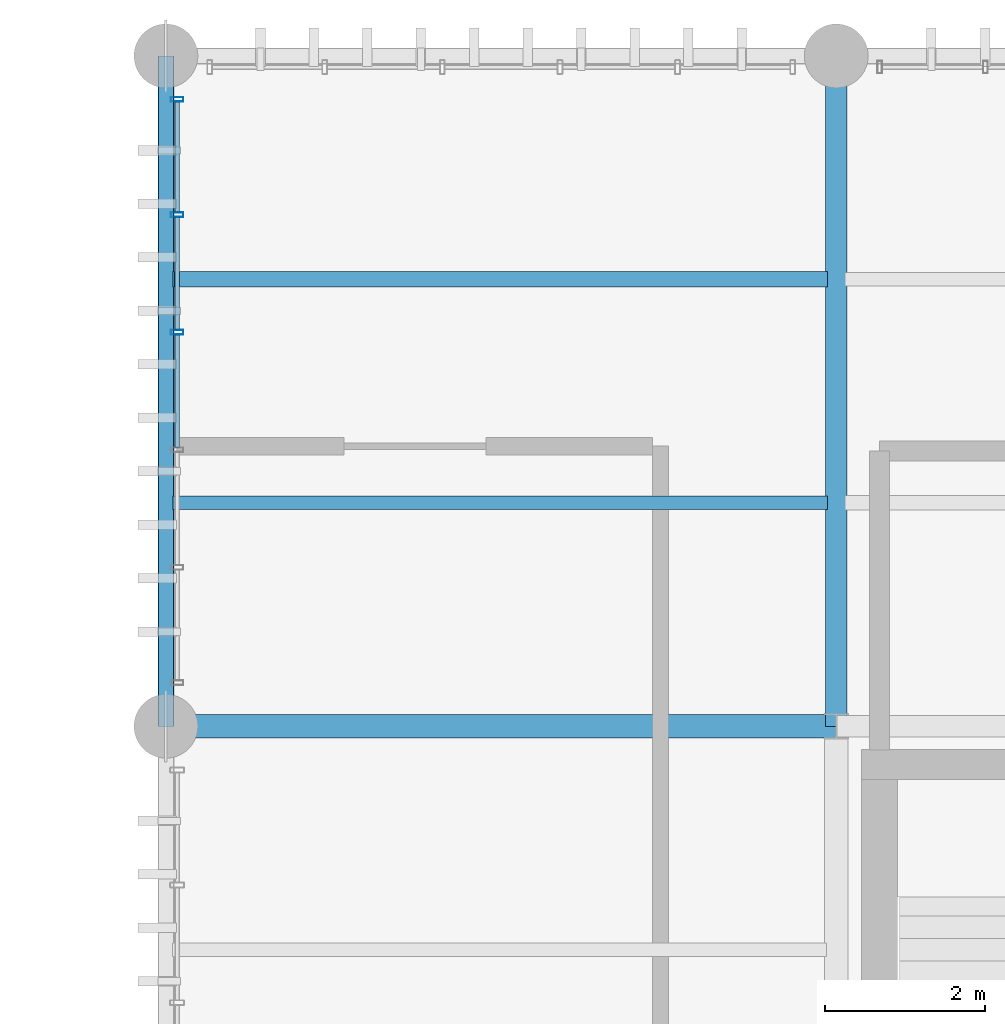
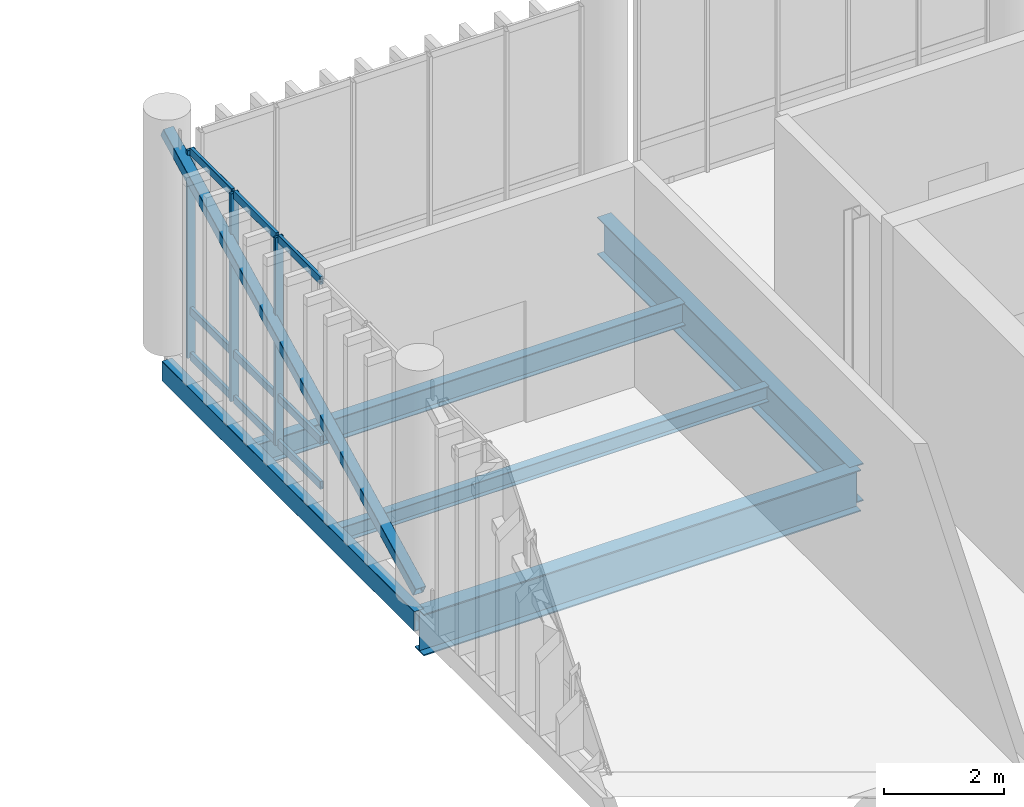
# One storey, part 58 of 94: 13 members, 5 beams, 1 element without a shape of its own.
"""IFC4 building model written with IfcOpenShell, lengths in metres."""

from ifc_helpers import new_model, si_unit, direction, frame, origin_with_axes, origin_2d_with_axis, place, context, subcontext, project, spatial, hollow_rectangle, i_section, extrude, material, material_profile, profile_set, type_object, element, aggregate, save


model = new_model("IFC4")

# Units and contexts
model_context = context("Model", 3, precision=1e-05, world=origin_with_axes(), true_north=direction((0.0, 1.0)))
body_context = subcontext(model_context, "Body", "Model", "MODEL_VIEW")
ifc_project = project(units=[si_unit("LENGTHUNIT", "METRE"), si_unit("AREAUNIT", "SQUARE_METRE"), si_unit("VOLUMEUNIT", "CUBIC_METRE"), si_unit("PLANEANGLEUNIT", "RADIAN"), si_unit("MASSUNIT", "GRAM", prefix="KILO"), si_unit("THERMODYNAMICTEMPERATUREUNIT", "KELVIN")], contexts=[model_context])

# Site, building, storey
site_placement = place(None, origin_with_axes())
site = spatial("IfcSite", under=ifc_project, at=site_placement, CompositionType="ELEMENT")
building_placement = place(site_placement, origin_with_axes())
building = spatial("IfcBuilding", under=site, at=building_placement, Name="Montbau Bow Law Courts", CompositionType="ELEMENT")
storey_placement = place(building_placement, frame((0.0, 0.0, 15.6), z_axis=(0.0, 0.0, 1.0), x_axis=(1.0, 0.0, 0.0)))
storey = spatial("IfcBuildingStorey", under=building, at=storey_placement, Name="L03", CompositionType="ELEMENT", Elevation=15.6)

# Beams
ifc_material_1 = material(Name="Steel CSA G40.21 Grade 350W (350 MPa)", Category="steel")
ifc_material_profile_1 = material_profile(ifc_material_1, i_section(OverallWidth=0.293, OverallDepth=0.846, WebThickness=0.0154, FlangeThickness=0.0244, at=origin_2d_with_axis()), Name="W840X210", Category="Main", Priority=0)
ifc_profile_set_1 = profile_set([ifc_material_profile_1], Name="Steel CSA G40.21 Grade 350W (350 MPa)")
beam_type_1 = type_object("IfcBeamType", Name="B-FLR-02", PredefinedType="BEAM", material=ifc_profile_set_1)
beam_1_placement = place(None, frame((138.6, 94.8, 14.837), z_axis=(1.0, 0.0, 0.0), x_axis=(0.0, 1.0, 0.0)))
element("IfcBeam", 1, at=beam_1_placement, inside=storey, type_object=beam_type_1, Name="BM-L03-S1217:bm2_1220", PredefinedType="BEAM", context=body_context, shape_type="SweptSolid", body=[
    extrude(i_section(OverallWidth=0.293, OverallDepth=0.846, WebThickness=0.0154, FlangeThickness=0.0244, at=origin_2d_with_axis()), origin_with_axes(), (0.0, 0.0, 1.0), 8.4),
])
ifc_material_profile_2 = material_profile(ifc_material_1, i_section(OverallWidth=0.267, OverallDepth=0.766, WebThickness=0.0149, FlangeThickness=0.0236, at=origin_2d_with_axis()), Name="W760X185", Category="Main", Priority=0)
ifc_profile_set_2 = profile_set([ifc_material_profile_2], Name="Steel CSA G40.21 Grade 350W (350 MPa)")
beam_type_2 = type_object("IfcBeamType", Name="B-FLR-03", PredefinedType="BEAM", material=ifc_profile_set_2)
beam_2_placement = place(None, frame((147.0, 94.8, 14.877), z_axis=(0.0, 1.0, 0.0), x_axis=(-1.0, 0.0, 0.0)))
element("IfcBeam", 2, at=beam_2_placement, inside=storey, type_object=beam_type_2, Name="BM-L03-S1232:bm2_1235", PredefinedType="BEAM", context=body_context, shape_type="SweptSolid", body=[
    extrude(i_section(OverallWidth=0.267, OverallDepth=0.766, WebThickness=0.0149, FlangeThickness=0.0236, at=origin_2d_with_axis()), origin_with_axes(), (0.0, 0.0, 1.0), 8.4),
])
ifc_material_profile_3 = material_profile(ifc_material_1, i_section(OverallWidth=0.191, OverallDepth=0.46, WebThickness=0.0099, FlangeThickness=0.016, at=origin_2d_with_axis()), Name="W460X82", Category="Main", Priority=0)
ifc_profile_set_3 = profile_set([ifc_material_profile_3], Name="Steel CSA G40.21 Grade 350W (350 MPa)")
beam_type_3 = type_object("IfcBeamType", Name="B-JST-01", PredefinedType="JOIST", material=ifc_profile_set_3)
beam_3_placement = place(None, frame((138.68, 100.4, 15.03), z_axis=(1.0, 0.0, 0.0), x_axis=(0.0, 1.0, 0.0)))
element("IfcBeam", 3, at=beam_3_placement, inside=storey, type_object=beam_type_3, Name="JST-L03-S0644:jst2_0644", PredefinedType="JOIST", context=body_context, shape_type="SweptSolid", body=[
    extrude(i_section(OverallWidth=0.191, OverallDepth=0.46, WebThickness=0.0099, FlangeThickness=0.016, at=origin_2d_with_axis()), origin_with_axes(), (0.0, 0.0, 1.0), 8.211),
])
ifc_material_profile_4 = material_profile(ifc_material_1, i_section(OverallWidth=0.166, OverallDepth=0.313, WebThickness=0.0066, FlangeThickness=0.0112, at=origin_2d_with_axis()), Name="W310X45", Category="Main", Priority=0)
ifc_profile_set_4 = profile_set([ifc_material_profile_4], Name="Steel CSA G40.21 Grade 350W (350 MPa)")
beam_type_4 = type_object("IfcBeamType", Name="B-JST-04", PredefinedType="JOIST", material=ifc_profile_set_4)
beam_4_placement = place(None, frame((138.68, 97.6, 15.104), z_axis=(1.0, 0.0, 0.0), x_axis=(0.0, 1.0, 0.0)))
element("IfcBeam", 4, at=beam_4_placement, inside=storey, type_object=beam_type_4, Name="JST-L03-S0643:jst2_0643", PredefinedType="JOIST", context=body_context, shape_type="SweptSolid", body=[
    extrude(i_section(OverallWidth=0.166, OverallDepth=0.313, WebThickness=0.0066, FlangeThickness=0.0112, at=origin_2d_with_axis()), origin_with_axes(), (0.0, 0.0, 1.0), 8.211),
])
ifc_material_2 = material(Name="Steel CSA G40.21 Grade 350WT (350 MPa)", Category="steel")
ifc_material_profile_5 = material_profile(ifc_material_2, hollow_rectangle(XDim=0.203, YDim=0.406, WallThickness=0.0127, InnerFilletRadius=0.0254, OuterFilletRadius=0.0127, at=origin_2d_with_axis()), Name="HSS406X203X13", Category="Main", Priority=0)
ifc_profile_set_5 = profile_set([ifc_material_profile_5], Name="Steel CSA G40.21 Grade 350WT (350 MPa)")
beam_type_5 = type_object("IfcBeamType", Name="B-SPN-01", PredefinedType="SPANDREL", material=ifc_profile_set_5)
beam_5_placement = place(None, frame((138.6, 94.8, 15.057), z_axis=(0.0, 1.0, 0.0), x_axis=(-1.0, 0.0, 0.0)))
element("IfcBeam", 5, at=beam_5_placement, inside=storey, type_object=beam_type_5, Name="SPN-L03-S1228:bm2_1231", PredefinedType="SPANDREL", context=body_context, shape_type="SweptSolid", body=[
    extrude(hollow_rectangle(XDim=0.203, YDim=0.406, WallThickness=0.0127, InnerFilletRadius=0.0254, OuterFilletRadius=0.0127, at=origin_2d_with_axis()), origin_with_axes(), (0.0, 0.0, 1.0), 8.4),
])

# Member
ifc_material_profile_6 = material_profile(ifc_material_1, hollow_rectangle(XDim=0.203, YDim=0.203, WallThickness=0.0111, InnerFilletRadius=0.0222, OuterFilletRadius=0.0111, at=origin_2d_with_axis()), Name="HSS203X203X11", Category="Main", Priority=0)
ifc_profile_set_6 = profile_set([ifc_material_profile_6], Name="Steel CSA G40.21 Grade 350W (350 MPa)")
member_type_1 = type_object("IfcMemberType", Name="M-BRC-02", PredefinedType="BRACE", material=ifc_profile_set_6)
member_1_placement = place(None, frame((138.6, 94.8, 15.65), z_axis=(0.0, 0.89199296, 0.452049289), x_axis=(-1.0, 0.0, 0.0)))
element("IfcMember", 6, at=member_1_placement, inside=storey, type_object=member_type_1, Name="Diagonal brace CBF-L03-069A", PredefinedType="BRACE", context=body_context, shape_type="SweptSolid", body=[
    extrude(hollow_rectangle(XDim=0.203, YDim=0.203, WallThickness=0.0111, InnerFilletRadius=0.0222, OuterFilletRadius=0.0111, at=origin_2d_with_axis()), origin_with_axes(), (0.0, 0.0, 1.0), 9.417115),
])

# Curtain wall, members
ifc_material_3 = material(Name="Thermally Broken Extruded Aluminium AA 6063-T6", Category="aluminium")
curtain_wall_type = type_object("IfcCurtainWallType", Name="CW-SLT-01", PredefinedType="NOTDEFINED", material=ifc_material_3)
curtain_wall_placement = place(None, frame((138.74, 95.315, 15.6), z_axis=(0.0, 0.0, 1.0), x_axis=(1.0, 0.0, 0.0)))
curtain_wall = element("IfcCurtainWall", 7, at=curtain_wall_placement, inside=storey, type_object=curtain_wall_type, Name="CW-L03-320:cw_0320", PredefinedType="NOTDEFINED")
ifc_material_profile_7 = material_profile(ifc_material_3, hollow_rectangle(XDim=0.06, YDim=0.16, WallThickness=0.004, InnerFilletRadius=0.008, OuterFilletRadius=0.004, at=origin_2d_with_axis()), Name="CWM-160X60", Category="Main", Priority=0)
ifc_profile_set_7 = profile_set([ifc_material_profile_7], Name="Thermally Broken Extruded Aluminium AA 6063-T6")
member_type_2 = type_object("IfcMemberType", Name="M-MUL-03", PredefinedType="MULLION", material=ifc_profile_set_7)
member_2_placement = place(None, frame((138.74, 99.737, 15.6), z_axis=(0.0, 0.0, 1.0), x_axis=(0.0, 1.0, 0.0)))
member_2 = element("IfcMember", 8, at=member_2_placement, type_object=member_type_2, Name="CW-L03-320-M04:cw_0320_M04", PredefinedType="MULLION", context=body_context, shape_type="SweptSolid", body=[
    extrude(hollow_rectangle(XDim=0.06, YDim=0.16, WallThickness=0.004, InnerFilletRadius=0.008, OuterFilletRadius=0.004, at=origin_2d_with_axis()), origin_with_axes(), (0.0, 0.0, 1.0), 4.22),
])
member_3_placement = place(None, frame((138.74, 101.211, 15.6), z_axis=(0.0, 0.0, 1.0), x_axis=(0.0, 1.0, 0.0)))
member_3 = element("IfcMember", 9, at=member_3_placement, type_object=member_type_2, Name="CW-L03-320-M05:cw_0320_M05", PredefinedType="MULLION", context=body_context, shape_type="SweptSolid", body=[
    extrude(hollow_rectangle(XDim=0.06, YDim=0.16, WallThickness=0.004, InnerFilletRadius=0.008, OuterFilletRadius=0.004, at=origin_2d_with_axis()), origin_with_axes(), (0.0, 0.0, 1.0), 4.22),
])
member_4_placement = place(None, frame((138.74, 102.655, 15.6), z_axis=(0.0, 0.0, 1.0), x_axis=(0.0, 1.0, 0.0)))
member_4 = element("IfcMember", 10, at=member_4_placement, type_object=member_type_2, Name="CW-L03-320-M06:cw_0320_M06", PredefinedType="MULLION", context=body_context, shape_type="SweptSolid", body=[
    extrude(hollow_rectangle(XDim=0.06, YDim=0.16, WallThickness=0.004, InnerFilletRadius=0.008, OuterFilletRadius=0.004, at=origin_2d_with_axis()), origin_with_axes(), (0.0, 0.0, 1.0), 4.22),
])
ifc_material_profile_8 = material_profile(ifc_material_3, hollow_rectangle(XDim=0.06, YDim=0.16, WallThickness=0.004, InnerFilletRadius=0.008, OuterFilletRadius=0.004, at=origin_2d_with_axis()), Name="CWT-160X60", Category="Main", Priority=0)
ifc_profile_set_8 = profile_set([ifc_material_profile_8], Name="Thermally Broken Extruded Aluminium AA 6063-T6")
member_type_3 = type_object("IfcMemberType", Name="M-TRN-01", PredefinedType="USERDEFINED", material=ifc_profile_set_8)
member_5_placement = place(None, frame((138.74, 98.295, 15.63), z_axis=(0.0, 1.0, 0.0), x_axis=(-1.0, 0.0, 0.0)))
member_5 = element("IfcMember", 11, at=member_5_placement, type_object=member_type_3, Name="CW-L03-320-T03-1:cw_0320_T03_1", ObjectType="TRANSOM", PredefinedType="USERDEFINED", context=body_context, shape_type="SweptSolid", body=[
    extrude(hollow_rectangle(XDim=0.06, YDim=0.16, WallThickness=0.004, InnerFilletRadius=0.008, OuterFilletRadius=0.004, at=origin_2d_with_axis()), origin_with_axes(), (0.0, 0.0, 1.0), 1.41),
])
member_6_placement = place(None, frame((138.74, 98.295, 16.55), z_axis=(0.0, 1.0, 0.0), x_axis=(-1.0, 0.0, 0.0)))
member_6 = element("IfcMember", 12, at=member_6_placement, type_object=member_type_3, Name="CW-L03-320-T03-2:cw_0320_T03_2", ObjectType="TRANSOM", PredefinedType="USERDEFINED", context=body_context, shape_type="SweptSolid", body=[
    extrude(hollow_rectangle(XDim=0.06, YDim=0.16, WallThickness=0.004, InnerFilletRadius=0.008, OuterFilletRadius=0.004, at=origin_2d_with_axis()), origin_with_axes(), (0.0, 0.0, 1.0), 1.41),
])
member_7_placement = place(None, frame((138.74, 98.295, 19.79), z_axis=(0.0, 1.0, 0.0), x_axis=(-1.0, 0.0, 0.0)))
member_7 = element("IfcMember", 13, at=member_7_placement, type_object=member_type_3, Name="CW-L03-320-T03-3:cw_0320_T03_3", ObjectType="TRANSOM", PredefinedType="USERDEFINED", context=body_context, shape_type="SweptSolid", body=[
    extrude(hollow_rectangle(XDim=0.06, YDim=0.16, WallThickness=0.004, InnerFilletRadius=0.008, OuterFilletRadius=0.004, at=origin_2d_with_axis()), origin_with_axes(), (0.0, 0.0, 1.0), 1.41),
])
member_8_placement = place(None, frame((138.74, 99.769, 15.63), z_axis=(0.0, 1.0, 0.0), x_axis=(-1.0, 0.0, 0.0)))
member_8 = element("IfcMember", 14, at=member_8_placement, type_object=member_type_3, Name="CW-L03-320-T04-1:cw_0320_T04_1", ObjectType="TRANSOM", PredefinedType="USERDEFINED", context=body_context, shape_type="SweptSolid", body=[
    extrude(hollow_rectangle(XDim=0.06, YDim=0.16, WallThickness=0.004, InnerFilletRadius=0.008, OuterFilletRadius=0.004, at=origin_2d_with_axis()), origin_with_axes(), (0.0, 0.0, 1.0), 1.41),
])
member_9_placement = place(None, frame((138.74, 99.769, 16.55), z_axis=(0.0, 1.0, 0.0), x_axis=(-1.0, 0.0, 0.0)))
member_9 = element("IfcMember", 15, at=member_9_placement, type_object=member_type_3, Name="CW-L03-320-T04-2:cw_0320_T04_2", ObjectType="TRANSOM", PredefinedType="USERDEFINED", context=body_context, shape_type="SweptSolid", body=[
    extrude(hollow_rectangle(XDim=0.06, YDim=0.16, WallThickness=0.004, InnerFilletRadius=0.008, OuterFilletRadius=0.004, at=origin_2d_with_axis()), origin_with_axes(), (0.0, 0.0, 1.0), 1.41),
])
member_10_placement = place(None, frame((138.74, 99.769, 19.79), z_axis=(0.0, 1.0, 0.0), x_axis=(-1.0, 0.0, 0.0)))
member_10 = element("IfcMember", 16, at=member_10_placement, type_object=member_type_3, Name="CW-L03-320-T04-3:cw_0320_T04_3", ObjectType="TRANSOM", PredefinedType="USERDEFINED", context=body_context, shape_type="SweptSolid", body=[
    extrude(hollow_rectangle(XDim=0.06, YDim=0.16, WallThickness=0.004, InnerFilletRadius=0.008, OuterFilletRadius=0.004, at=origin_2d_with_axis()), origin_with_axes(), (0.0, 0.0, 1.0), 1.41),
])
member_11_placement = place(None, frame((138.74, 101.243, 15.63), z_axis=(0.0, 1.0, 0.0), x_axis=(-1.0, 0.0, 0.0)))
member_11 = element("IfcMember", 17, at=member_11_placement, type_object=member_type_3, Name="CW-L03-320-T05-1:cw_0320_T05_1", ObjectType="TRANSOM", PredefinedType="USERDEFINED", context=body_context, shape_type="SweptSolid", body=[
    extrude(hollow_rectangle(XDim=0.06, YDim=0.16, WallThickness=0.004, InnerFilletRadius=0.008, OuterFilletRadius=0.004, at=origin_2d_with_axis()), origin_with_axes(), (0.0, 0.0, 1.0), 1.38),
])
member_12_placement = place(None, frame((138.74, 101.243, 16.55), z_axis=(0.0, 1.0, 0.0), x_axis=(-1.0, 0.0, 0.0)))
member_12 = element("IfcMember", 18, at=member_12_placement, type_object=member_type_3, Name="CW-L03-320-T05-2:cw_0320_T05_2", ObjectType="TRANSOM", PredefinedType="USERDEFINED", context=body_context, shape_type="SweptSolid", body=[
    extrude(hollow_rectangle(XDim=0.06, YDim=0.16, WallThickness=0.004, InnerFilletRadius=0.008, OuterFilletRadius=0.004, at=origin_2d_with_axis()), origin_with_axes(), (0.0, 0.0, 1.0), 1.38),
])
member_13_placement = place(None, frame((138.74, 101.243, 19.79), z_axis=(0.0, 1.0, 0.0), x_axis=(-1.0, 0.0, 0.0)))
member_13 = element("IfcMember", 19, at=member_13_placement, type_object=member_type_3, Name="CW-L03-320-T05-3:cw_0320_T05_3", ObjectType="TRANSOM", PredefinedType="USERDEFINED", context=body_context, shape_type="SweptSolid", body=[
    extrude(hollow_rectangle(XDim=0.06, YDim=0.16, WallThickness=0.004, InnerFilletRadius=0.008, OuterFilletRadius=0.004, at=origin_2d_with_axis()), origin_with_axes(), (0.0, 0.0, 1.0), 1.38),
])
aggregate(curtain_wall, [member_2, member_3, member_4, member_5, member_6, member_7, member_8, member_9, member_10, member_11, member_12, member_13])

save(model, "model.ifc")
